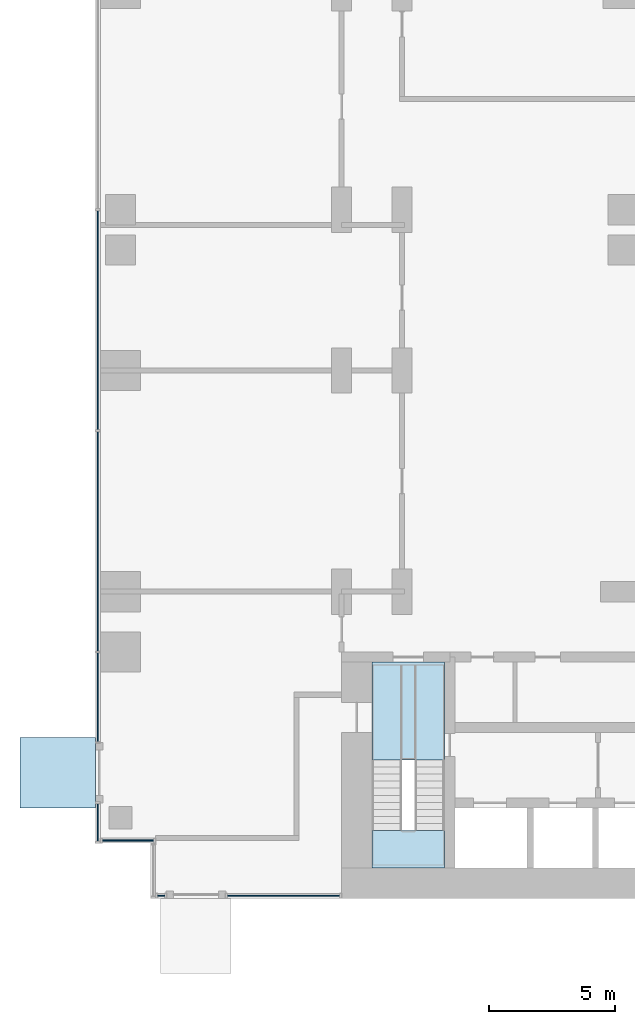
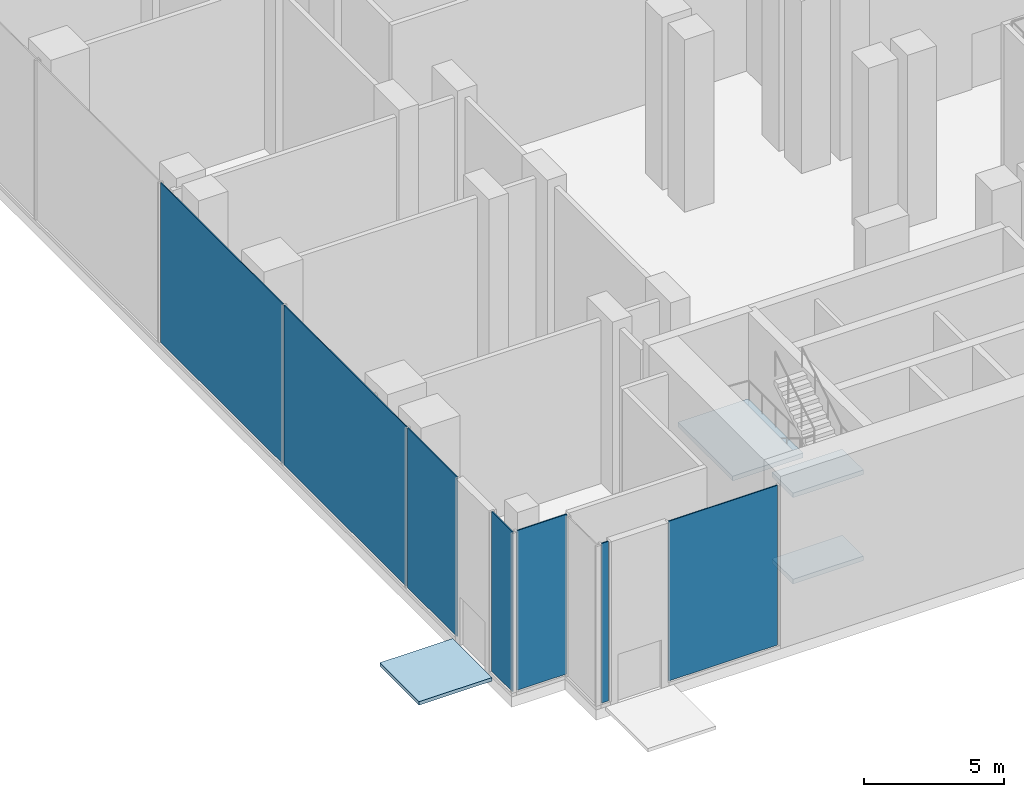
# One storey, part 17 of 41: 7 plates, 4 slabs, 6 elements without a shape of their own.
"""IFC4 building model written with IfcOpenShell, lengths in metres."""

from ifc_helpers import new_model, si_unit, direction, frame, origin, origin_2d, place, context, subcontext, project, spatial, polyline, rectangle, outline, extrude, source, transform, mapped, material, layer, layer_set, type_object, element, aggregate, save


model = new_model("IFC4")

# Units and contexts
model_context = context("Model", 3, precision=1e-05, world=origin(), true_north=direction((0.0, 1.0)))
body_context = subcontext(model_context, "Body", "Model", "MODEL_VIEW")
ifc_project = project(units=[si_unit("LENGTHUNIT", "METRE"), si_unit("AREAUNIT", "SQUARE_METRE"), si_unit("VOLUMEUNIT", "CUBIC_METRE"), si_unit("PLANEANGLEUNIT", "RADIAN"), si_unit("MASSUNIT", "GRAM", prefix="KILO")], contexts=[model_context])

# Site, building, storey
site_placement = place(None, origin())
site = spatial("IfcSite", under=ifc_project, at=site_placement, CompositionType="ELEMENT")
building_placement = place(site_placement, origin())
building = spatial("IfcBuilding", under=site, at=building_placement, Name="Kemantara Hotel Tower", CompositionType="ELEMENT")
storey_placement = place(building_placement, origin())
storey = spatial("IfcBuildingStorey", under=building, at=storey_placement, Name="L00", CompositionType="ELEMENT", Elevation=0.0)

# Slab
ifc_material_1 = material(Name="Granite paving on concrete base (fc 25 MPa)", Category="masonry")
ifc_layer_1 = layer(ifc_material_1, 0.14990234375)
ifc_layer_set_1 = layer_set([ifc_layer_1], Name="Granite paving on concrete base (fc 25 MPa)")
slab_type_1 = type_object("IfcSlabType", Name="PLAZA PAVING 150", PredefinedType="USERDEFINED", material=ifc_layer_set_1)
slab_1_placement = place(storey_placement, frame((0.0, 0.0, -0.14990234375)))
element("IfcSlab", 1, at=slab_1_placement, inside=storey, type_object=slab_type_1, Name="ENTRANCE PAVING STAFF", ObjectType="PAVING", PredefinedType="USERDEFINED", context=body_context, shape_type="SweptSolid", body=[
    extrude(outline(polyline([(0.0, 3.60009765625), (-3.0, 3.60009765625), (-3.0, 6.39990234375), (0.0, 6.39990234375), (0.0, 3.60009765625)])), origin(), (0.0, 0.0, 1.0), 0.14990234375),
])

# Stair, slabs
ifc_material_2 = material(Name="Concrete fc 40 MPa", Category="concrete")
stair_type = type_object("IfcStairType", Name="Stair 1200 wide 44 risers of 170 x 280 mm", PredefinedType="HALF_TURN_STAIR", material=ifc_material_2)
stair_placement = place(storey_placement, origin())
stair = element("IfcStair", 2, at=stair_placement, inside=storey, type_object=stair_type, Name="L00 Exit stair ST1", PredefinedType="HALF_TURN_STAIR")
ifc_layer_2 = layer(ifc_material_2, 0.199951171875)
ifc_layer_set_2 = layer_set([ifc_layer_2], Name="Concrete fc 40 MPa")
slab_type_2 = type_object("IfcSlabType", Name="Stair landing 200 mm", PredefinedType="LANDING", material=ifc_layer_set_2)
slab_2_placement = place(storey_placement, frame((0.0, 0.0, 1.675048828125)))
slab_2 = element("IfcSlab", 3, at=slab_2_placement, type_object=slab_type_2, Name="ST1 landing 1", PredefinedType="LANDING", context=body_context, shape_type="SweptSolid", body=[
    extrude(outline(polyline([(11.0, 2.699951171875), (11.0, 1.199951171875), (13.89990234375, 1.199951171875), (13.89990234375, 2.699951171875), (11.0, 2.699951171875)])), origin(), (0.0, 0.0, 1.0), 0.199951171875),
])
slab_3_placement = place(storey_placement, frame((0.0, 0.0, 3.550048828125)))
slab_3 = element("IfcSlab", 4, at=slab_3_placement, type_object=slab_type_2, Name="ST1 landing 2", PredefinedType="LANDING", context=body_context, shape_type="SweptSolid", body=[
    extrude(outline(polyline([(11.0, 9.39990234375), (11.0, 5.5), (13.89990234375, 5.5), (13.89990234375, 9.39990234375), (11.0, 9.39990234375)])), origin(), (0.0, 0.0, 1.0), 0.199951171875),
])
slab_4_placement = place(storey_placement, frame((0.0, 0.0, 5.425048828125)))
slab_4 = element("IfcSlab", 5, at=slab_4_placement, type_object=slab_type_2, Name="ST1 landing 3", PredefinedType="LANDING", context=body_context, shape_type="SweptSolid", body=[
    extrude(outline(polyline([(11.0, 2.699951171875), (11.0, 1.199951171875), (13.89990234375, 1.199951171875), (13.89990234375, 2.699951171875), (11.0, 2.699951171875)])), origin(), (0.0, 0.0, 1.0), 0.199951171875),
])
aggregate(stair, [slab_2, slab_3, slab_4])

# Curtain wall, plate
ifc_material_3 = material(Name="Laminated tinted insulated glass 44 mm", Category="glass")
curtain_wall_type = type_object("IfcCurtainWallType", Name="PODIUM GLASS CURTAIN WALL", PredefinedType="USERDEFINED", material=ifc_material_3)
curtain_wall_1_placement = place(storey_placement, origin())
curtain_wall_1 = element("IfcCurtainWall", 6, at=curtain_wall_1_placement, inside=storey, type_object=curtain_wall_type, Name="CW1 L00 POD-R01-1", ObjectType="PODIUM GLASS CURTAIN WALL", PredefinedType="USERDEFINED")
ifc_layer_3 = layer(ifc_material_3, 0.0439453125)
ifc_layer_set_3 = layer_set([ifc_layer_3], Name="Laminated tinted insulated glass 44 mm")
plate_type = type_object("IfcPlateType", Name="PODIUM GLASS CURTAIN WALL PANEL", PredefinedType="CURTAIN_PANEL", material=ifc_layer_set_3)
shared_shape_1 = source(origin(), body_context, "Body", "SweptSolid", [
    extrude(rectangle(XDim=0.28759765625, YDim=0.0439453125, at=origin_2d()), origin(), (0.0, 0.0, 1.0), 6.949951171875),
])
plate_1_placement = place(storey_placement, frame((2.61865234375, 0.10009765625, 0.14990234375), z_axis=(0.0, 0.0, 1.0), x_axis=(1.0, 0.0, 0.0)))
plate_1 = element("IfcPlate", 7, at=plate_1_placement, type_object=plate_type, Name="CW1 glass panel POD-R01-1.1", PredefinedType="CURTAIN_PANEL", context=body_context, shape_type="MappedRepresentation", body=[
    mapped(shared_shape_1, transform((0.0, 0.0, 0.0))),
])
aggregate(curtain_wall_1, [plate_1])

curtain_wall_2_placement = place(storey_placement, origin())
curtain_wall_2 = element("IfcCurtainWall", 8, at=curtain_wall_2_placement, inside=storey, type_object=curtain_wall_type, Name="CW1 L00 POD-R01-2", ObjectType="PODIUM GLASS CURTAIN WALL", PredefinedType="USERDEFINED")
shared_shape_2 = source(origin(), body_context, "Body", "SweptSolid", [
    extrude(rectangle(XDim=4.487548828125, YDim=0.0439453125, at=origin_2d()), origin(), (0.0, 0.0, 1.0), 6.949951171875),
])
plate_2_placement = place(storey_placement, frame((7.481201171875, 0.10009765625, 0.14990234375), z_axis=(0.0, 0.0, 1.0), x_axis=(1.0, 0.0, 0.0)))
plate_2 = element("IfcPlate", 9, at=plate_2_placement, type_object=plate_type, Name="CW1 glass panel POD-R01-2.1", PredefinedType="CURTAIN_PANEL", context=body_context, shape_type="MappedRepresentation", body=[
    mapped(shared_shape_2, transform((0.0, 0.0, 0.0))),
])
aggregate(curtain_wall_2, [plate_2])

# Curtain wall, plates
curtain_wall_3_placement = place(storey_placement, origin())
curtain_wall_3 = element("IfcCurtainWall", 10, at=curtain_wall_3_placement, inside=storey, type_object=curtain_wall_type, Name="CW1 L00 POD-R16-2", ObjectType="PODIUM GLASS CURTAIN WALL", PredefinedType="USERDEFINED")
shared_shape_3 = source(origin(), body_context, "Body", "SweptSolid", [
    extrude(rectangle(XDim=8.72509765625, YDim=0.0439453125, at=origin_2d()), origin(), (0.0, 0.0, 1.0), 6.949951171875),
])
plate_3_placement = place(storey_placement, frame((0.10009765625, 23.0, 0.14990234375), z_axis=(0.0, 0.0, 1.0), x_axis=(0.0, -1.0, 0.0)))
plate_3 = element("IfcPlate", 11, at=plate_3_placement, type_object=plate_type, Name="CW1 glass panel POD-R16-2.5", PredefinedType="CURTAIN_PANEL", context=body_context, shape_type="MappedRepresentation", body=[
    mapped(shared_shape_3, transform((0.0, 0.0, 0.0))),
])
plate_4_placement = place(storey_placement, frame((0.10009765625, 14.199951171875, 0.14990234375), z_axis=(0.0, 0.0, 1.0), x_axis=(0.0, -1.0, 0.0)))
plate_4 = element("IfcPlate", 12, at=plate_4_placement, type_object=plate_type, Name="CW1 glass panel POD-R16-2.6", PredefinedType="CURTAIN_PANEL", context=body_context, shape_type="MappedRepresentation", body=[
    mapped(shared_shape_3, transform((0.0, 0.0, 0.0))),
])
shared_shape_4 = source(origin(), body_context, "Body", "SweptSolid", [
    extrude(rectangle(XDim=3.52490234375, YDim=0.0439453125, at=origin_2d()), origin(), (0.0, 0.0, 1.0), 6.949951171875),
])
plate_5_placement = place(storey_placement, frame((0.10009765625, 8.0, 0.14990234375), z_axis=(0.0, 0.0, 1.0), x_axis=(0.0, -1.0, 0.0)))
plate_5 = element("IfcPlate", 13, at=plate_5_placement, type_object=plate_type, Name="CW1 glass panel POD-R16-2.7", PredefinedType="CURTAIN_PANEL", context=body_context, shape_type="MappedRepresentation", body=[
    mapped(shared_shape_4, transform((0.0, 0.0, 0.0))),
])
aggregate(curtain_wall_3, [plate_3, plate_4, plate_5])

# Curtain wall, plate
curtain_wall_4_placement = place(storey_placement, origin())
curtain_wall_4 = element("IfcCurtainWall", 14, at=curtain_wall_4_placement, inside=storey, type_object=curtain_wall_type, Name="CW1 L00 POD-R16-3", ObjectType="PODIUM GLASS CURTAIN WALL", PredefinedType="USERDEFINED")
shared_shape_5 = source(origin(), body_context, "Body", "SweptSolid", [
    extrude(rectangle(XDim=1.487548828125, YDim=0.0439453125, at=origin_2d()), origin(), (0.0, 0.0, 1.0), 6.949951171875),
])
plate_6_placement = place(storey_placement, frame((0.10009765625, 3.018798828125, 0.14990234375), z_axis=(0.0, 0.0, 1.0), x_axis=(0.0, -1.0, 0.0)))
plate_6 = element("IfcPlate", 15, at=plate_6_placement, type_object=plate_type, Name="CW1 glass panel POD-R16-3.1", PredefinedType="CURTAIN_PANEL", context=body_context, shape_type="MappedRepresentation", body=[
    mapped(shared_shape_5, transform((0.0, 0.0, 0.0))),
])
aggregate(curtain_wall_4, [plate_6])

curtain_wall_5_placement = place(storey_placement, origin())
curtain_wall_5 = element("IfcCurtainWall", 16, at=curtain_wall_5_placement, inside=storey, type_object=curtain_wall_type, Name="CW1 L00 POD-R17-1", ObjectType="PODIUM GLASS CURTAIN WALL", PredefinedType="USERDEFINED")
shared_shape_6 = source(origin(), body_context, "Body", "SweptSolid", [
    extrude(rectangle(XDim=2.050048828125, YDim=0.0439453125, at=origin_2d()), origin(), (0.0, 0.0, 1.0), 6.949951171875),
])
plate_7_placement = place(storey_placement, frame((1.300048828125, 2.300048828125, 0.14990234375), z_axis=(0.0, 0.0, 1.0), x_axis=(1.0, 0.0, 0.0)))
plate_7 = element("IfcPlate", 17, at=plate_7_placement, type_object=plate_type, Name="CW1 glass panel POD-R17-1.1", PredefinedType="CURTAIN_PANEL", context=body_context, shape_type="MappedRepresentation", body=[
    mapped(shared_shape_6, transform((0.0, 0.0, 0.0))),
])
aggregate(curtain_wall_5, [plate_7])

save(model, "model.ifc")
